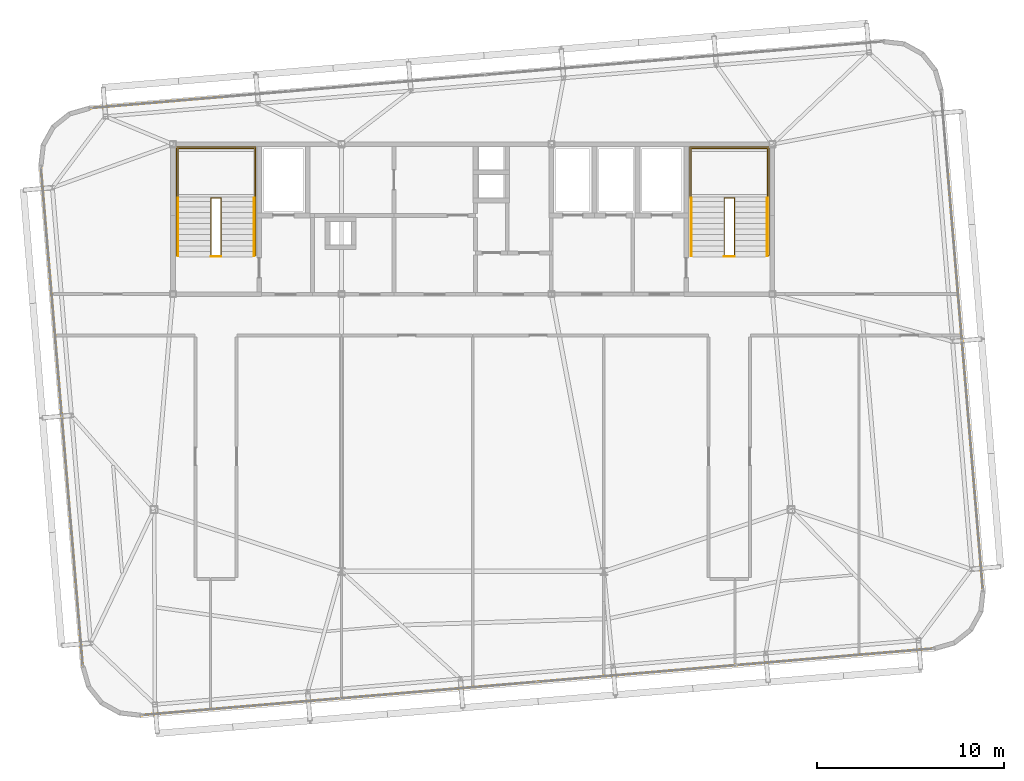
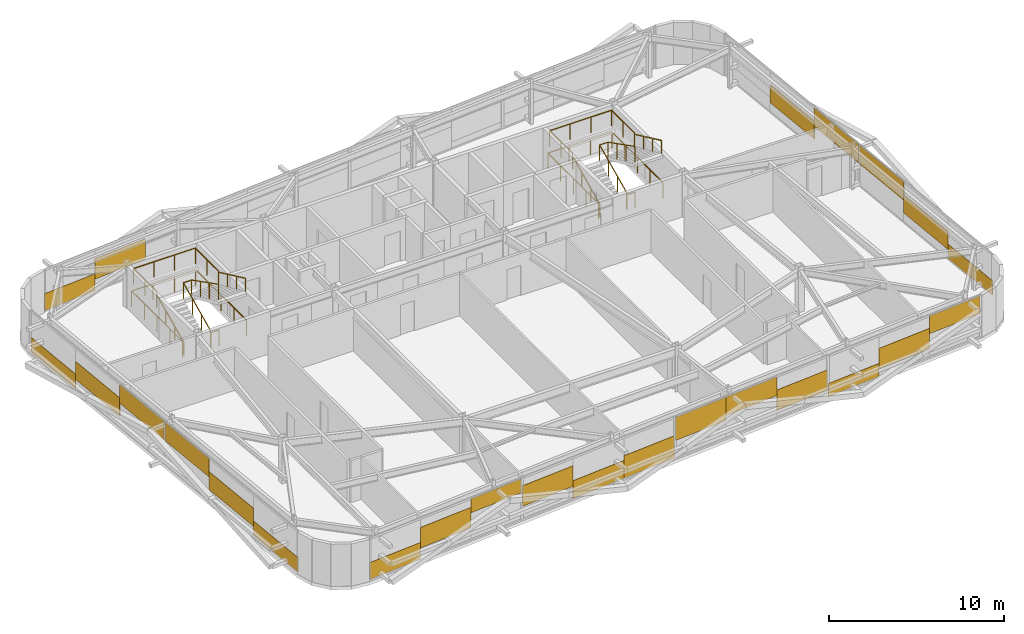
# One storey, part 38 of 39: 25 coverings, 12 railings.
"""IFC4 building model written with IfcOpenShell, lengths in metres."""

from ifc_helpers import new_model, si_unit, direction, frame, origin, origin_2d, place, context, subcontext, project, spatial, rectangle, extrude, source, transform, mapped, material, layer, layer_set, type_object, element, save


model = new_model("IFC4")

# Units and contexts
model_context = context("Model", 3, precision=1e-05, world=origin(), true_north=direction((0.0, 1.0)))
body_context = subcontext(model_context, "Body", "Model", "MODEL_VIEW")
ifc_project = project(units=[si_unit("LENGTHUNIT", "METRE"), si_unit("AREAUNIT", "SQUARE_METRE"), si_unit("VOLUMEUNIT", "CUBIC_METRE"), si_unit("PLANEANGLEUNIT", "RADIAN"), si_unit("MASSUNIT", "GRAM", prefix="KILO")], contexts=[model_context])

# Site, building, storey
site_placement = place(None, origin())
site = spatial("IfcSite", under=ifc_project, at=site_placement, CompositionType="ELEMENT")
building_placement = place(site_placement, origin())
building = spatial("IfcBuilding", under=site, at=building_placement, Name="Taldren Reach Tower", CompositionType="ELEMENT")
storey_placement = place(building_placement, frame((0.0, 0.0, 178.85009765625)))
storey = spatial("IfcBuildingStorey", under=building, at=storey_placement, Name="L54", CompositionType="ELEMENT", Elevation=178.85009765625)

# Railings
ifc_material_1 = material(Name="Steel Gr 350 (C350L0)", Category="steel")
ifc_layer_1 = layer(ifc_material_1, 0.050048828125)
ifc_layer_set_1 = layer_set([ifc_layer_1], Name="Steel Gr 350 (C350L0)")
railing_type_1 = type_object("IfcRailingType", Name="RL-STAIR-GR", PredefinedType="GUARDRAIL", material=ifc_layer_set_1)
railing_1_placement = place(storey_placement, frame((19.260009765625, 29.135009765625, 1.574951171875)))
element("IfcRailing", 1, at=railing_1_placement, inside=storey, type_object=railing_type_1, Name="Stair half-landing perimeter guard ST1-L54", PredefinedType="GUARDRAIL", context=body_context, shape_type="SweptSolid", body=[
    extrude(rectangle(XDim=0.047852, YDim=0.047852, at=origin_2d()), frame((0.0, 0.0, 1.09619140625), z_axis=(0.0, 1.0, 0.0), x_axis=(-1.0, 0.0, 0.0)), (0.0, 0.0, 1.0), 2.64501953125),
    extrude(rectangle(XDim=0.047852, YDim=0.047852, at=origin_2d()), frame((0.0, 2.64501953125, 1.09619140625), z_axis=(1.0, 0.0, 0.0), x_axis=(0.0, 1.0, 0.0)), (0.0, 0.0, 1.0), 4.080078125),
    extrude(rectangle(XDim=0.047852, YDim=0.047852, at=origin_2d()), frame((4.080078125, 2.64501953125, 1.09619140625), z_axis=(0.0, -1.0, 0.0), x_axis=(1.0, 0.0, 0.0)), (0.0, 0.0, 1.0), 2.64501953125),
    extrude(rectangle(XDim=0.041992, YDim=0.041992, at=origin_2d()), origin(), (0.0, 0.0, 1.0), 1.072021484375),
    extrude(rectangle(XDim=0.041992, YDim=0.041992, at=origin_2d()), frame((0.0, 1.322509765625, 0.0)), (0.0, 0.0, 1.0), 1.072021484375),
    extrude(rectangle(XDim=0.041992, YDim=0.041992, at=origin_2d()), frame((0.0, 2.64501953125, 0.0)), (0.0, 0.0, 1.0), 1.072021484375),
    extrude(rectangle(XDim=0.041992, YDim=0.041992, at=origin_2d()), frame((1.360107421875, 2.64501953125, 0.0)), (0.0, 0.0, 1.0), 1.072021484375),
    extrude(rectangle(XDim=0.041992, YDim=0.041992, at=origin_2d()), frame((2.719970703125, 2.64501953125, 0.0)), (0.0, 0.0, 1.0), 1.072021484375),
    extrude(rectangle(XDim=0.041992, YDim=0.041992, at=origin_2d()), frame((4.080078125, 2.64501953125, 0.0)), (0.0, 0.0, 1.0), 1.072021484375),
    extrude(rectangle(XDim=0.041992, YDim=0.041992, at=origin_2d()), frame((4.080078125, 1.322509765625, 0.0)), (0.0, 0.0, 1.0), 1.072021484375),
    extrude(rectangle(XDim=0.041992, YDim=0.041992, at=origin_2d()), frame((4.080078125, 0.0, 0.0)), (0.0, 0.0, 1.0), 1.072021484375),
])
railing_2_placement = place(storey_placement, frame((21.030029296875, 26.050048828125, 0.131103515625)))
element("IfcRailing", 2, at=railing_2_placement, inside=storey, type_object=railing_type_1, Name="Stairwell inner guard ST1-L54", PredefinedType="GUARDRAIL", context=body_context, shape_type="SweptSolid", body=[
    extrude(rectangle(XDim=0.047852, YDim=0.047852, at=origin_2d()), frame((0.0, 0.0, 1.09619140625), z_axis=(0.0, 0.905710134349, 0.423897573167), x_axis=(-1.0, 0.0, 0.0)), (0.0, 0.0, 1.0), 3.406005859375),
    extrude(rectangle(XDim=0.047852, YDim=0.047852, at=origin_2d()), frame((0.0, 3.0849609375, 2.5400390625), z_axis=(1.0, 0.0, 0.0), x_axis=(0.0, 1.0, 0.0)), (0.0, 0.0, 1.0), 0.5400390625),
    extrude(rectangle(XDim=0.047852, YDim=0.047852, at=origin_2d()), frame((0.5400390625, 3.0849609375, 2.5400390625), z_axis=(0.0, -0.890645957773, 0.45469745755), x_axis=(1.0, 0.0, 0.0)), (0.0, 0.0, 1.0), 3.463623046875),
    extrude(rectangle(XDim=0.041992, YDim=0.041992, at=origin_2d()), origin(), (0.0, 0.0, 1.0), 1.072021484375),
    extrude(rectangle(XDim=0.041992, YDim=0.041992, at=origin_2d()), frame((0.0, 1.0283203125, 0.481201171875)), (0.0, 0.0, 1.0), 1.072021484375),
    extrude(rectangle(XDim=0.041992, YDim=0.041992, at=origin_2d()), frame((0.0, 2.056640625, 0.962646484375)), (0.0, 0.0, 1.0), 1.072021484375),
    extrude(rectangle(XDim=0.041992, YDim=0.041992, at=origin_2d()), frame((0.0, 3.0849609375, 1.44384765625)), (0.0, 0.0, 1.0), 1.072021484375),
    extrude(rectangle(XDim=0.041992, YDim=0.041992, at=origin_2d()), frame((0.5400390625, 3.0849609375, 1.44384765625)), (0.0, 0.0, 1.0), 1.072021484375),
    extrude(rectangle(XDim=0.041992, YDim=0.041992, at=origin_2d()), frame((0.5400390625, 2.056640625, 1.96875)), (0.0, 0.0, 1.0), 1.072021484375),
    extrude(rectangle(XDim=0.041992, YDim=0.041992, at=origin_2d()), frame((0.5400390625, 1.0283203125, 2.493896484375)), (0.0, 0.0, 1.0), 1.072021484375),
    extrude(rectangle(XDim=0.041992, YDim=0.041992, at=origin_2d()), frame((0.5400390625, 0.0, 3.018798828125)), (0.0, 0.0, 1.0), 1.072021484375),
])
railing_3_placement = place(storey_placement, frame((21.030029296875, 26.010009765625, 0.0)))
element("IfcRailing", 3, at=railing_3_placement, inside=storey, type_object=railing_type_1, Name="Stairwell landing slot guard ST1-L54", PredefinedType="GUARDRAIL", context=body_context, shape_type="SweptSolid", body=[
    extrude(rectangle(XDim=0.047852, YDim=0.047852, at=origin_2d()), frame((0.0, 0.0, 1.09619140625), z_axis=(1.0, 0.0, 0.0), x_axis=(0.0, 1.0, 0.0)), (0.0, 0.0, 1.0), 0.5400390625),
    extrude(rectangle(XDim=0.041992, YDim=0.041992, at=origin_2d()), origin(), (0.0, 0.0, 1.0), 1.072021484375),
    extrude(rectangle(XDim=0.041992, YDim=0.041992, at=origin_2d()), frame((0.5400390625, 0.0, 0.0)), (0.0, 0.0, 1.0), 1.072021484375),
])
railing_4_placement = place(storey_placement, frame((19.18994140625, 26.050048828125, 0.0)))
element("IfcRailing", 4, at=railing_4_placement, inside=storey, type_object=railing_type_1, Name="Stairwell floor opening guard ST1-L54", PredefinedType="GUARDRAIL", context=body_context, shape_type="SweptSolid", body=[
    extrude(rectangle(XDim=0.047852, YDim=0.047852, at=origin_2d()), frame((0.0, 0.0, 1.09619140625), z_axis=(0.0, 1.0, 0.0), x_axis=(-1.0, 0.0, 0.0)), (0.0, 0.0, 1.0), 5.800048828125),
    extrude(rectangle(XDim=0.047852, YDim=0.047852, at=origin_2d()), frame((0.0, 5.800048828125, 1.09619140625), z_axis=(1.0, 0.0, 0.0), x_axis=(0.0, 1.0, 0.0)), (0.0, 0.0, 1.0), 4.219970703125),
    extrude(rectangle(XDim=0.047852, YDim=0.047852, at=origin_2d()), frame((4.219970703125, 5.800048828125, 1.09619140625), z_axis=(0.0, -1.0, 0.0), x_axis=(1.0, 0.0, 0.0)), (0.0, 0.0, 1.0), 5.800048828125),
    extrude(rectangle(XDim=0.041992, YDim=0.041992, at=origin_2d()), origin(), (0.0, 0.0, 1.0), 1.072021484375),
    extrude(rectangle(XDim=0.041992, YDim=0.041992, at=origin_2d()), frame((0.0, 1.449951171875, 0.0)), (0.0, 0.0, 1.0), 1.072021484375),
    extrude(rectangle(XDim=0.041992, YDim=0.041992, at=origin_2d()), frame((0.0, 2.89990234375, 0.0)), (0.0, 0.0, 1.0), 1.072021484375),
    extrude(rectangle(XDim=0.041992, YDim=0.041992, at=origin_2d()), frame((0.0, 4.35009765625, 0.0)), (0.0, 0.0, 1.0), 1.072021484375),
    extrude(rectangle(XDim=0.041992, YDim=0.041992, at=origin_2d()), frame((0.0, 5.800048828125, 0.0)), (0.0, 0.0, 1.0), 1.072021484375),
    extrude(rectangle(XDim=0.041992, YDim=0.041992, at=origin_2d()), frame((1.40673828125, 5.800048828125, 0.0)), (0.0, 0.0, 1.0), 1.072021484375),
    extrude(rectangle(XDim=0.041992, YDim=0.041992, at=origin_2d()), frame((2.813232421875, 5.800048828125, 0.0)), (0.0, 0.0, 1.0), 1.072021484375),
    extrude(rectangle(XDim=0.041992, YDim=0.041992, at=origin_2d()), frame((4.219970703125, 5.800048828125, 0.0)), (0.0, 0.0, 1.0), 1.072021484375),
    extrude(rectangle(XDim=0.041992, YDim=0.041992, at=origin_2d()), frame((4.219970703125, 4.35009765625, 0.0)), (0.0, 0.0, 1.0), 1.072021484375),
    extrude(rectangle(XDim=0.041992, YDim=0.041992, at=origin_2d()), frame((4.219970703125, 2.89990234375, 0.0)), (0.0, 0.0, 1.0), 1.072021484375),
    extrude(rectangle(XDim=0.041992, YDim=0.041992, at=origin_2d()), frame((4.219970703125, 1.449951171875, 0.0)), (0.0, 0.0, 1.0), 1.072021484375),
    extrude(rectangle(XDim=0.041992, YDim=0.041992, at=origin_2d()), frame((4.219970703125, 0.0, 0.0)), (0.0, 0.0, 1.0), 1.072021484375),
])
railing_5_placement = place(storey_placement, frame((46.659912109375, 29.135009765625, 1.574951171875)))
element("IfcRailing", 5, at=railing_5_placement, inside=storey, type_object=railing_type_1, Name="Stair half-landing perimeter guard ST2-L54", PredefinedType="GUARDRAIL", context=body_context, shape_type="SweptSolid", body=[
    extrude(rectangle(XDim=0.047852, YDim=0.047852, at=origin_2d()), frame((0.0, 0.0, 1.09619140625), z_axis=(0.0, 1.0, 0.0), x_axis=(-1.0, 0.0, 0.0)), (0.0, 0.0, 1.0), 2.64501953125),
    extrude(rectangle(XDim=0.047852, YDim=0.047852, at=origin_2d()), frame((0.0, 2.64501953125, 1.09619140625), z_axis=(1.0, 0.0, 0.0), x_axis=(0.0, 1.0, 0.0)), (0.0, 0.0, 1.0), 4.080078125),
    extrude(rectangle(XDim=0.047852, YDim=0.047852, at=origin_2d()), frame((4.080078125, 2.64501953125, 1.09619140625), z_axis=(0.0, -1.0, 0.0), x_axis=(1.0, 0.0, 0.0)), (0.0, 0.0, 1.0), 2.64501953125),
    extrude(rectangle(XDim=0.041992, YDim=0.041992, at=origin_2d()), origin(), (0.0, 0.0, 1.0), 1.072021484375),
    extrude(rectangle(XDim=0.041992, YDim=0.041992, at=origin_2d()), frame((0.0, 1.322509765625, 0.0)), (0.0, 0.0, 1.0), 1.072021484375),
    extrude(rectangle(XDim=0.041992, YDim=0.041992, at=origin_2d()), frame((0.0, 2.64501953125, 0.0)), (0.0, 0.0, 1.0), 1.072021484375),
    extrude(rectangle(XDim=0.041992, YDim=0.041992, at=origin_2d()), frame((1.360107421875, 2.64501953125, 0.0)), (0.0, 0.0, 1.0), 1.072021484375),
    extrude(rectangle(XDim=0.041992, YDim=0.041992, at=origin_2d()), frame((2.719970703125, 2.64501953125, 0.0)), (0.0, 0.0, 1.0), 1.072021484375),
    extrude(rectangle(XDim=0.041992, YDim=0.041992, at=origin_2d()), frame((4.080078125, 2.64501953125, 0.0)), (0.0, 0.0, 1.0), 1.072021484375),
    extrude(rectangle(XDim=0.041992, YDim=0.041992, at=origin_2d()), frame((4.080078125, 1.322509765625, 0.0)), (0.0, 0.0, 1.0), 1.072021484375),
    extrude(rectangle(XDim=0.041992, YDim=0.041992, at=origin_2d()), frame((4.080078125, 0.0, 0.0)), (0.0, 0.0, 1.0), 1.072021484375),
])
railing_6_placement = place(storey_placement, frame((48.429931640625, 26.050048828125, 0.131103515625)))
element("IfcRailing", 6, at=railing_6_placement, inside=storey, type_object=railing_type_1, Name="Stairwell inner guard ST2-L54", PredefinedType="GUARDRAIL", context=body_context, shape_type="SweptSolid", body=[
    extrude(rectangle(XDim=0.047852, YDim=0.047852, at=origin_2d()), frame((0.0, 0.0, 1.09619140625), z_axis=(0.0, 0.905710134349, 0.423897573167), x_axis=(-1.0, 0.0, 0.0)), (0.0, 0.0, 1.0), 3.406005859375),
    extrude(rectangle(XDim=0.047852, YDim=0.047852, at=origin_2d()), frame((0.0, 3.0849609375, 2.5400390625), z_axis=(1.0, 0.0, 0.0), x_axis=(0.0, 1.0, 0.0)), (0.0, 0.0, 1.0), 0.5400390625),
    extrude(rectangle(XDim=0.047852, YDim=0.047852, at=origin_2d()), frame((0.5400390625, 3.0849609375, 2.5400390625), z_axis=(0.0, -0.890645957773, 0.45469745755), x_axis=(1.0, 0.0, 0.0)), (0.0, 0.0, 1.0), 3.463623046875),
    extrude(rectangle(XDim=0.041992, YDim=0.041992, at=origin_2d()), origin(), (0.0, 0.0, 1.0), 1.072021484375),
    extrude(rectangle(XDim=0.041992, YDim=0.041992, at=origin_2d()), frame((0.0, 1.0283203125, 0.481201171875)), (0.0, 0.0, 1.0), 1.072021484375),
    extrude(rectangle(XDim=0.041992, YDim=0.041992, at=origin_2d()), frame((0.0, 2.056640625, 0.962646484375)), (0.0, 0.0, 1.0), 1.072021484375),
    extrude(rectangle(XDim=0.041992, YDim=0.041992, at=origin_2d()), frame((0.0, 3.0849609375, 1.44384765625)), (0.0, 0.0, 1.0), 1.072021484375),
    extrude(rectangle(XDim=0.041992, YDim=0.041992, at=origin_2d()), frame((0.5400390625, 3.0849609375, 1.44384765625)), (0.0, 0.0, 1.0), 1.072021484375),
    extrude(rectangle(XDim=0.041992, YDim=0.041992, at=origin_2d()), frame((0.5400390625, 2.056640625, 1.96875)), (0.0, 0.0, 1.0), 1.072021484375),
    extrude(rectangle(XDim=0.041992, YDim=0.041992, at=origin_2d()), frame((0.5400390625, 1.0283203125, 2.493896484375)), (0.0, 0.0, 1.0), 1.072021484375),
    extrude(rectangle(XDim=0.041992, YDim=0.041992, at=origin_2d()), frame((0.5400390625, 0.0, 3.018798828125)), (0.0, 0.0, 1.0), 1.072021484375),
])
railing_7_placement = place(storey_placement, frame((48.429931640625, 26.010009765625, 0.0)))
element("IfcRailing", 7, at=railing_7_placement, inside=storey, type_object=railing_type_1, Name="Stairwell landing slot guard ST2-L54", PredefinedType="GUARDRAIL", context=body_context, shape_type="SweptSolid", body=[
    extrude(rectangle(XDim=0.047852, YDim=0.047852, at=origin_2d()), frame((0.0, 0.0, 1.09619140625), z_axis=(1.0, 0.0, 0.0), x_axis=(0.0, 1.0, 0.0)), (0.0, 0.0, 1.0), 0.5400390625),
    extrude(rectangle(XDim=0.041992, YDim=0.041992, at=origin_2d()), origin(), (0.0, 0.0, 1.0), 1.072021484375),
    extrude(rectangle(XDim=0.041992, YDim=0.041992, at=origin_2d()), frame((0.5400390625, 0.0, 0.0)), (0.0, 0.0, 1.0), 1.072021484375),
])
railing_8_placement = place(storey_placement, frame((46.590087890625, 26.050048828125, 0.0)))
element("IfcRailing", 8, at=railing_8_placement, inside=storey, type_object=railing_type_1, Name="Stairwell floor opening guard ST2-L54", PredefinedType="GUARDRAIL", context=body_context, shape_type="SweptSolid", body=[
    extrude(rectangle(XDim=0.047852, YDim=0.047852, at=origin_2d()), frame((0.0, 0.0, 1.09619140625), z_axis=(0.0, 1.0, 0.0), x_axis=(-1.0, 0.0, 0.0)), (0.0, 0.0, 1.0), 5.800048828125),
    extrude(rectangle(XDim=0.047852, YDim=0.047852, at=origin_2d()), frame((0.0, 5.800048828125, 1.09619140625), z_axis=(1.0, 0.0, 0.0), x_axis=(0.0, 1.0, 0.0)), (0.0, 0.0, 1.0), 4.219970703125),
    extrude(rectangle(XDim=0.047852, YDim=0.047852, at=origin_2d()), frame((4.219970703125, 5.800048828125, 1.09619140625), z_axis=(0.0, -1.0, 0.0), x_axis=(1.0, 0.0, 0.0)), (0.0, 0.0, 1.0), 5.800048828125),
    extrude(rectangle(XDim=0.041992, YDim=0.041992, at=origin_2d()), origin(), (0.0, 0.0, 1.0), 1.072021484375),
    extrude(rectangle(XDim=0.041992, YDim=0.041992, at=origin_2d()), frame((0.0, 1.449951171875, 0.0)), (0.0, 0.0, 1.0), 1.072021484375),
    extrude(rectangle(XDim=0.041992, YDim=0.041992, at=origin_2d()), frame((0.0, 2.89990234375, 0.0)), (0.0, 0.0, 1.0), 1.072021484375),
    extrude(rectangle(XDim=0.041992, YDim=0.041992, at=origin_2d()), frame((0.0, 4.35009765625, 0.0)), (0.0, 0.0, 1.0), 1.072021484375),
    extrude(rectangle(XDim=0.041992, YDim=0.041992, at=origin_2d()), frame((0.0, 5.800048828125, 0.0)), (0.0, 0.0, 1.0), 1.072021484375),
    extrude(rectangle(XDim=0.041992, YDim=0.041992, at=origin_2d()), frame((1.40673828125, 5.800048828125, 0.0)), (0.0, 0.0, 1.0), 1.072021484375),
    extrude(rectangle(XDim=0.041992, YDim=0.041992, at=origin_2d()), frame((2.813232421875, 5.800048828125, 0.0)), (0.0, 0.0, 1.0), 1.072021484375),
    extrude(rectangle(XDim=0.041992, YDim=0.041992, at=origin_2d()), frame((4.219970703125, 5.800048828125, 0.0)), (0.0, 0.0, 1.0), 1.072021484375),
    extrude(rectangle(XDim=0.041992, YDim=0.041992, at=origin_2d()), frame((4.219970703125, 4.35009765625, 0.0)), (0.0, 0.0, 1.0), 1.072021484375),
    extrude(rectangle(XDim=0.041992, YDim=0.041992, at=origin_2d()), frame((4.219970703125, 2.89990234375, 0.0)), (0.0, 0.0, 1.0), 1.072021484375),
    extrude(rectangle(XDim=0.041992, YDim=0.041992, at=origin_2d()), frame((4.219970703125, 1.449951171875, 0.0)), (0.0, 0.0, 1.0), 1.072021484375),
    extrude(rectangle(XDim=0.041992, YDim=0.041992, at=origin_2d()), frame((4.219970703125, 0.0, 0.0)), (0.0, 0.0, 1.0), 1.072021484375),
])
ifc_material_2 = material(Name="Stainless Steel Gr 316", Category="steel")
ifc_layer_2 = layer(ifc_material_2, 0.048095703125)
ifc_layer_set_2 = layer_set([ifc_layer_2], Name="Stainless Steel Gr 316")
railing_type_2 = type_object("IfcRailingType", Name="RL-STAIR-HR", PredefinedType="HANDRAIL", material=ifc_layer_set_2)
railing_9_placement = place(storey_placement, frame((19.27001953125, 26.050048828125, 0.131103515625)))
element("IfcRailing", 9, at=railing_9_placement, inside=storey, type_object=railing_type_2, Name="Stair flight handrail ST1-L54-1", PredefinedType="HANDRAIL", context=body_context, shape_type="SweptSolid", body=[
    extrude(rectangle(XDim=0.047852, YDim=0.047852, at=origin_2d()), frame((0.0, 0.0, 0.89599609375), z_axis=(0.0, 0.905710134349, 0.423897573167), x_axis=(-1.0, 0.0, 0.0)), (0.0, 0.0, 1.0), 3.406005859375),
    extrude(rectangle(XDim=0.041992, YDim=0.041992, at=origin_2d()), origin(), (0.0, 0.0, 1.0), 0.871826171875),
    extrude(rectangle(XDim=0.041992, YDim=0.041992, at=origin_2d()), frame((0.0, 1.0283203125, 0.481201171875)), (0.0, 0.0, 1.0), 0.871826171875),
    extrude(rectangle(XDim=0.041992, YDim=0.041992, at=origin_2d()), frame((0.0, 2.056640625, 0.962646484375)), (0.0, 0.0, 1.0), 0.871826171875),
    extrude(rectangle(XDim=0.041992, YDim=0.041992, at=origin_2d()), frame((0.0, 3.0849609375, 1.44384765625)), (0.0, 0.0, 1.0), 0.871826171875),
])
railing_10_placement = place(storey_placement, frame((23.330078125, 29.135009765625, 1.706298828125)))
element("IfcRailing", 10, at=railing_10_placement, inside=storey, type_object=railing_type_2, Name="Stair flight handrail ST1-L54-2", PredefinedType="HANDRAIL", context=body_context, shape_type="SweptSolid", body=[
    extrude(rectangle(XDim=0.047852, YDim=0.047852, at=origin_2d()), frame((0.0, 0.0, 0.89599609375), z_axis=(0.0, -0.905737652094, 0.423838773095), x_axis=(1.0, 0.0, 0.0)), (0.0, 0.0, 1.0), 3.406005859375),
    extrude(rectangle(XDim=0.041992, YDim=0.041992, at=origin_2d()), origin(), (0.0, 0.0, 1.0), 0.871826171875),
    extrude(rectangle(XDim=0.041992, YDim=0.041992, at=origin_2d()), frame((0.0, -1.0283203125, 0.481201171875)), (0.0, 0.0, 1.0), 0.871826171875),
    extrude(rectangle(XDim=0.041992, YDim=0.041992, at=origin_2d()), frame((0.0, -2.056640625, 0.96240234375)), (0.0, 0.0, 1.0), 0.871826171875),
    extrude(rectangle(XDim=0.041992, YDim=0.041992, at=origin_2d()), frame((0.0, -3.0849609375, 1.443603515625)), (0.0, 0.0, 1.0), 0.871826171875),
])
railing_11_placement = place(storey_placement, frame((46.669921875, 26.050048828125, 0.131103515625)))
element("IfcRailing", 11, at=railing_11_placement, inside=storey, type_object=railing_type_2, Name="Stair flight handrail ST2-L54-1", PredefinedType="HANDRAIL", context=body_context, shape_type="SweptSolid", body=[
    extrude(rectangle(XDim=0.047852, YDim=0.047852, at=origin_2d()), frame((0.0, 0.0, 0.89599609375), z_axis=(0.0, 0.905710134349, 0.423897573167), x_axis=(-1.0, 0.0, 0.0)), (0.0, 0.0, 1.0), 3.406005859375),
    extrude(rectangle(XDim=0.041992, YDim=0.041992, at=origin_2d()), origin(), (0.0, 0.0, 1.0), 0.871826171875),
    extrude(rectangle(XDim=0.041992, YDim=0.041992, at=origin_2d()), frame((0.0, 1.0283203125, 0.481201171875)), (0.0, 0.0, 1.0), 0.871826171875),
    extrude(rectangle(XDim=0.041992, YDim=0.041992, at=origin_2d()), frame((0.0, 2.056640625, 0.962646484375)), (0.0, 0.0, 1.0), 0.871826171875),
    extrude(rectangle(XDim=0.041992, YDim=0.041992, at=origin_2d()), frame((0.0, 3.0849609375, 1.44384765625)), (0.0, 0.0, 1.0), 0.871826171875),
])
railing_12_placement = place(storey_placement, frame((50.72998046875, 29.135009765625, 1.706298828125)))
element("IfcRailing", 12, at=railing_12_placement, inside=storey, type_object=railing_type_2, Name="Stair flight handrail ST2-L54-2", PredefinedType="HANDRAIL", context=body_context, shape_type="SweptSolid", body=[
    extrude(rectangle(XDim=0.047852, YDim=0.047852, at=origin_2d()), frame((0.0, 0.0, 0.89599609375), z_axis=(0.0, -0.905737652094, 0.423838773095), x_axis=(1.0, 0.0, 0.0)), (0.0, 0.0, 1.0), 3.406005859375),
    extrude(rectangle(XDim=0.041992, YDim=0.041992, at=origin_2d()), origin(), (0.0, 0.0, 1.0), 0.871826171875),
    extrude(rectangle(XDim=0.041992, YDim=0.041992, at=origin_2d()), frame((0.0, -1.0283203125, 0.481201171875)), (0.0, 0.0, 1.0), 0.871826171875),
    extrude(rectangle(XDim=0.041992, YDim=0.041992, at=origin_2d()), frame((0.0, -2.056640625, 0.96240234375)), (0.0, 0.0, 1.0), 0.871826171875),
    extrude(rectangle(XDim=0.041992, YDim=0.041992, at=origin_2d()), frame((0.0, -3.0849609375, 1.443603515625)), (0.0, 0.0, 1.0), 0.871826171875),
])

# Coverings
ifc_material_3 = material(Name="Pale Champagne Fluoropolymer Aluminium Spandrel Cladding", Category="aluminium")
ifc_layer_3 = layer(ifc_material_3, 0.0439453125)
ifc_layer_set_3 = layer_set([ifc_layer_3], Name="Pale Champagne Fluoropolymer Aluminium Spandrel Cladding")
covering_type = type_object("IfcCoveringType", Name="CV-CLAD-044", PredefinedType="CLADDING", material=ifc_layer_set_3)
shared_shape_1 = source(origin(), body_context, "Body", "SweptSolid", [
    extrude(rectangle(XDim=3.506591796875, YDim=0.0439453125, at=origin_2d()), origin(), (0.0, 0.0, 1.0), 1.177734375),
])
for number, where, z_axis, x_axis, name in (
    (13, (19.10205078125, 1.67138671875, 0.059814453125), (0.0, 0.0, 1.0), (0.996492854922, 0.083677894865, 0.0), "Diagrid closure cladding strip CW-5 panel 1.1 1"),
    (14, (16.380859375, 34.077392578125, 0.059814453125), (0.0, 0.0, 1.0), (-0.99649285657, -0.083677875247, 0.0), "Diagrid closure cladding strip CW-5 panel 4.1 3"),
):
    element("IfcCovering", number, at=place(storey_placement, frame(where, z_axis=z_axis, x_axis=x_axis)), inside=storey, type_object=covering_type, Name=name, PredefinedType="CLADDING", context=body_context, shape_type="MappedRepresentation", body=[
        mapped(shared_shape_1, transform((0.0, 0.0, 0.0), scale=1.0)),
    ])
shared_shape_2 = source(origin(), body_context, "Body", "SweptSolid", [
    extrude(rectangle(XDim=3.506591796875, YDim=0.0439453125, at=origin_2d()), origin(), (0.0, 0.0, 1.0), 1.42724609375),
])
for number, where, z_axis, x_axis, name in (
    (15, (22.596435546875, 1.96484375, 0.85205078125), (0.0, 0.0, 1.0), (0.996492854922, 0.083677894865, 0.0), "Diagrid closure cladding strip CW-5 panel 1.1 2"),
    (16, (54.32470703125, 4.629150390625, 0.590576171875), (0.0, 0.0, 1.0), (0.996492854922, 0.083677894865, 0.0), "Diagrid closure cladding strip CW-5 panel 4.1 2"),
    (17, (19.875244140625, 34.370849609375, 0.85205078125), (0.0, 0.0, 1.0), (-0.99649285657, -0.083677875247, 0.0), "Diagrid closure cladding strip CW-5 panel 4.1 2"),
):
    element("IfcCovering", number, at=place(storey_placement, frame(where, z_axis=z_axis, x_axis=x_axis)), inside=storey, type_object=covering_type, Name=name, PredefinedType="CLADDING", context=body_context, shape_type="MappedRepresentation", body=[
        mapped(shared_shape_2, transform((0.0, 0.0, 0.0), scale=1.0)),
    ])
shared_shape_3 = source(origin(), body_context, "Body", "SweptSolid", [
    extrude(rectangle(XDim=3.506591796875, YDim=0.0439453125, at=origin_2d()), origin(), (0.0, 0.0, 1.0), 0.976318359375),
])
covering_1_placement = place(storey_placement, frame((26.0908203125, 2.25830078125, 1.8935546875), z_axis=(0.0, 0.0, 1.0), x_axis=(0.996492854922, 0.083677894865, 0.0)))
element("IfcCovering", 18, at=covering_1_placement, inside=storey, type_object=covering_type, Name="Diagrid closure cladding strip CW-5 panel 1.1 3", PredefinedType="CLADDING", context=body_context, shape_type="MappedRepresentation", body=[
    mapped(shared_shape_3, transform((0.0, 0.0, 0.0), scale=1.0)),
])
shared_shape_4 = source(origin(), body_context, "Body", "SweptSolid", [
    extrude(rectangle(XDim=3.518310546875, YDim=0.0439453125, at=origin_2d()), origin(), (0.0, 0.0, 1.0), 1.4306640625),
])
for number, where, z_axis, x_axis, name in (
    (19, (29.66064453125, 2.55810546875, 0.912841796875), (0.0, 0.0, 1.0), (0.996492854922, 0.083677894865, 0.0), "Diagrid closure cladding strip CW-5 panel 2.1 1"),
    (20, (47.260498046875, 4.035888671875, 0.526123046875), (0.0, 0.0, 1.0), (0.996492854922, 0.083677894865, 0.0), "Diagrid closure cladding strip CW-5 panel 3.1 3"),
):
    element("IfcCovering", number, at=place(storey_placement, frame(where, z_axis=z_axis, x_axis=x_axis)), inside=storey, type_object=covering_type, Name=name, PredefinedType="CLADDING", context=body_context, shape_type="MappedRepresentation", body=[
        mapped(shared_shape_4, transform((0.0, 0.0, 0.0), scale=1.0)),
    ])
shared_shape_5 = source(origin(), body_context, "Body", "SweptSolid", [
    extrude(rectangle(XDim=3.518310546875, YDim=0.0439453125, at=origin_2d()), origin(), (0.0, 0.0, 1.0), 1.238525390625),
])
covering_2_placement = place(storey_placement, frame((33.166748046875, 2.8525390625, 0.06005859375), z_axis=(0.0, 0.0, 1.0), x_axis=(0.996492854922, 0.083677894865, 0.0)))
element("IfcCovering", 21, at=covering_2_placement, inside=storey, type_object=covering_type, Name="Diagrid closure cladding strip CW-5 panel 2.1 2", PredefinedType="CLADDING", context=body_context, shape_type="MappedRepresentation", body=[
    mapped(shared_shape_5, transform((0.0, 0.0, 0.0), scale=1.0)),
])
shared_shape_6 = source(origin(), body_context, "Body", "SweptSolid", [
    extrude(rectangle(XDim=3.518310546875, YDim=0.0439453125, at=origin_2d()), origin(), (0.0, 0.0, 1.0), 1.557373046875),
])
covering_3_placement = place(storey_placement, frame((36.672607421875, 3.14697265625, 0.06005859375), z_axis=(0.0, 0.0, 1.0), x_axis=(0.996492854922, 0.083677894865, 0.0)))
element("IfcCovering", 22, at=covering_3_placement, inside=storey, type_object=covering_type, Name="Diagrid closure cladding strip CW-5 panel 2.1 3", PredefinedType="CLADDING", context=body_context, shape_type="MappedRepresentation", body=[
    mapped(shared_shape_6, transform((0.0, 0.0, 0.0), scale=1.0)),
])
shared_shape_7 = source(origin(), body_context, "Body", "SweptSolid", [
    extrude(rectangle(XDim=3.518310546875, YDim=0.0439453125, at=origin_2d()), origin(), (0.0, 0.0, 1.0), 1.617431640625),
])
covering_4_placement = place(storey_placement, frame((40.24853515625, 3.447265625, 1.25244140625), z_axis=(0.0, 0.0, 1.0), x_axis=(0.996492854922, 0.083677894865, 0.0)))
element("IfcCovering", 23, at=covering_4_placement, inside=storey, type_object=covering_type, Name="Diagrid closure cladding strip CW-5 panel 3.1 1", PredefinedType="CLADDING", context=body_context, shape_type="MappedRepresentation", body=[
    mapped(shared_shape_7, transform((0.0, 0.0, 0.0), scale=1.0)),
])
shared_shape_8 = source(origin(), body_context, "Body", "SweptSolid", [
    extrude(rectangle(XDim=3.518310546875, YDim=0.0439453125, at=origin_2d()), origin(), (0.0, 0.0, 1.0), 1.298583984375),
])
covering_5_placement = place(storey_placement, frame((43.75439453125, 3.741455078125, 1.5712890625), z_axis=(0.0, 0.0, 1.0), x_axis=(0.996492854922, 0.083677894865, 0.0)))
element("IfcCovering", 24, at=covering_5_placement, inside=storey, type_object=covering_type, Name="Diagrid closure cladding strip CW-5 panel 3.1 2", PredefinedType="CLADDING", context=body_context, shape_type="MappedRepresentation", body=[
    mapped(shared_shape_8, transform((0.0, 0.0, 0.0), scale=1.0)),
])
shared_shape_9 = source(origin(), body_context, "Body", "SweptSolid", [
    extrude(rectangle(XDim=3.506591796875, YDim=0.0439453125, at=origin_2d()), origin(), (0.0, 0.0, 1.0), 0.916259765625),
])
covering_6_placement = place(storey_placement, frame((50.830322265625, 4.335693359375, 0.06005859375), z_axis=(0.0, 0.0, 1.0), x_axis=(0.996492854922, 0.083677894865, 0.0)))
element("IfcCovering", 25, at=covering_6_placement, inside=storey, type_object=covering_type, Name="Diagrid closure cladding strip CW-5 panel 4.1 1", PredefinedType="CLADDING", context=body_context, shape_type="MappedRepresentation", body=[
    mapped(shared_shape_9, transform((0.0, 0.0, 0.0), scale=1.0)),
])
shared_shape_10 = source(origin(), body_context, "Body", "SweptSolid", [
    extrude(rectangle(XDim=3.506591796875, YDim=0.0439453125, at=origin_2d()), origin(), (0.0, 0.0, 1.0), 1.237548828125),
])
covering_7_placement = place(storey_placement, frame((57.819091796875, 4.922607421875, 1.63232421875), z_axis=(0.0, 0.0, 1.0), x_axis=(0.996492854922, 0.083677894865, 0.0)))
element("IfcCovering", 26, at=covering_7_placement, inside=storey, type_object=covering_type, Name="Diagrid closure cladding strip CW-5 panel 4.1 3", PredefinedType="CLADDING", context=body_context, shape_type="MappedRepresentation", body=[
    mapped(shared_shape_10, transform((0.0, 0.0, 0.0), scale=1.0)),
])
shared_shape_11 = source(origin(), body_context, "Body", "SweptSolid", [
    extrude(rectangle(XDim=4.431640625, YDim=0.0439453125, at=origin_2d()), origin(), (0.0, 0.0, 1.0), 1.006103515625),
])
for number, where, z_axis, x_axis, name in (
    (27, (12.14453125, 28.5576171875, 0.06005859375), (0.0, 0.0, 1.0), (0.083677979808, -0.996492847789, 0.0), "Diagrid closure cladding strip CW-5 panel 1.1 1"),
    (28, (14.004638671875, 6.4072265625, 0.06005859375), (0.0, 0.0, 1.0), (0.083677979808, -0.996492847789, 0.0), "Diagrid closure cladding strip CW-5 panel 2.1 3"),
    (29, (62.055419921875, 10.4423828125, 0.06005859375), (0.0, 0.0, 1.0), (-0.083677979808, 0.996492847789, 0.0), "Diagrid closure cladding strip CW-5 panel 1.1 1"),
):
    element("IfcCovering", number, at=place(storey_placement, frame(where, z_axis=z_axis, x_axis=x_axis)), inside=storey, type_object=covering_type, Name=name, PredefinedType="CLADDING", context=body_context, shape_type="MappedRepresentation", body=[
        mapped(shared_shape_11, transform((0.0, 0.0, 0.0), scale=1.0)),
    ])
shared_shape_12 = source(origin(), body_context, "Body", "SweptSolid", [
    extrude(rectangle(XDim=4.431640625, YDim=0.0439453125, at=origin_2d()), origin(), (0.0, 0.0, 1.0), 1.259765625),
])
for number, where, z_axis, x_axis, name in (
    (30, (12.515380859375, 24.1416015625, 0.68896484375), (0.0, 0.0, 1.0), (0.083677979808, -0.996492847789, 0.0), "Diagrid closure cladding strip CW-5 panel 1.1 2"),
    (31, (13.6337890625, 10.823486328125, 0.68896484375), (0.0, 0.0, 1.0), (0.083677979808, -0.996492847789, 0.0), "Diagrid closure cladding strip CW-5 panel 2.1 2"),
    (32, (61.6845703125, 14.8583984375, 0.68896484375), (0.0, 0.0, 1.0), (-0.083677979808, 0.996492847789, 0.0), "Diagrid closure cladding strip CW-5 panel 1.1 2"),
    (33, (60.566162109375, 28.176513671875, 0.68896484375), (0.0, 0.0, 1.0), (-0.083677979808, 0.996492847789, 0.0), "Diagrid closure cladding strip CW-5 panel 2.1 2"),
):
    element("IfcCovering", number, at=place(storey_placement, frame(where, z_axis=z_axis, x_axis=x_axis)), inside=storey, type_object=covering_type, Name=name, PredefinedType="CLADDING", context=body_context, shape_type="MappedRepresentation", body=[
        mapped(shared_shape_12, transform((0.0, 0.0, 0.0), scale=1.0)),
    ])
shared_shape_13 = source(origin(), body_context, "Body", "SweptSolid", [
    extrude(rectangle(XDim=4.431640625, YDim=0.0439453125, at=origin_2d()), origin(), (0.0, 0.0, 1.0), 1.298095703125),
])
for number, where, z_axis, x_axis, name in (
    (34, (12.88623046875, 19.7255859375, 1.57177734375), (0.0, 0.0, 1.0), (0.083677979808, -0.996492847789, 0.0), "Diagrid closure cladding strip CW-5 panel 1.1 3"),
    (35, (13.262939453125, 15.239501953125, 1.57177734375), (0.0, 0.0, 1.0), (0.083677979808, -0.996492847789, 0.0), "Diagrid closure cladding strip CW-5 panel 2.1 1"),
    (36, (61.313720703125, 19.2744140625, 1.57177734375), (0.0, 0.0, 1.0), (-0.083677979808, 0.996492847789, 0.0), "Diagrid closure cladding strip CW-5 panel 1.1 3"),
    (37, (60.93701171875, 23.760498046875, 1.57177734375), (0.0, 0.0, 1.0), (-0.083677979808, 0.996492847789, 0.0), "Diagrid closure cladding strip CW-5 panel 2.1 1"),
):
    element("IfcCovering", number, at=place(storey_placement, frame(where, z_axis=z_axis, x_axis=x_axis)), inside=storey, type_object=covering_type, Name=name, PredefinedType="CLADDING", context=body_context, shape_type="MappedRepresentation", body=[
        mapped(shared_shape_13, transform((0.0, 0.0, 0.0), scale=1.0)),
    ])

save(model, "model.ifc")
